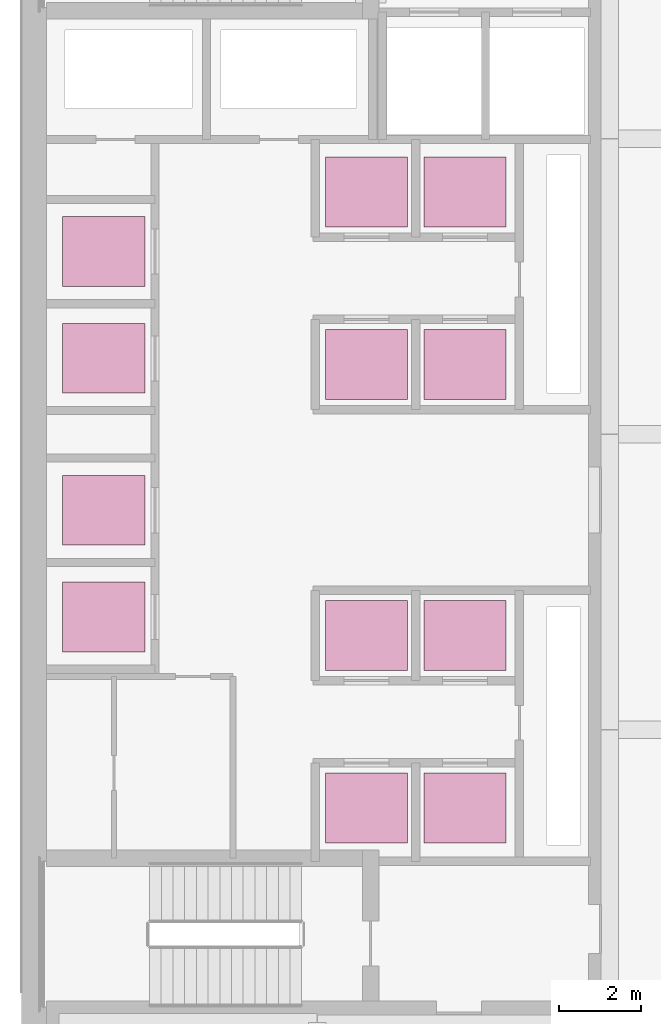
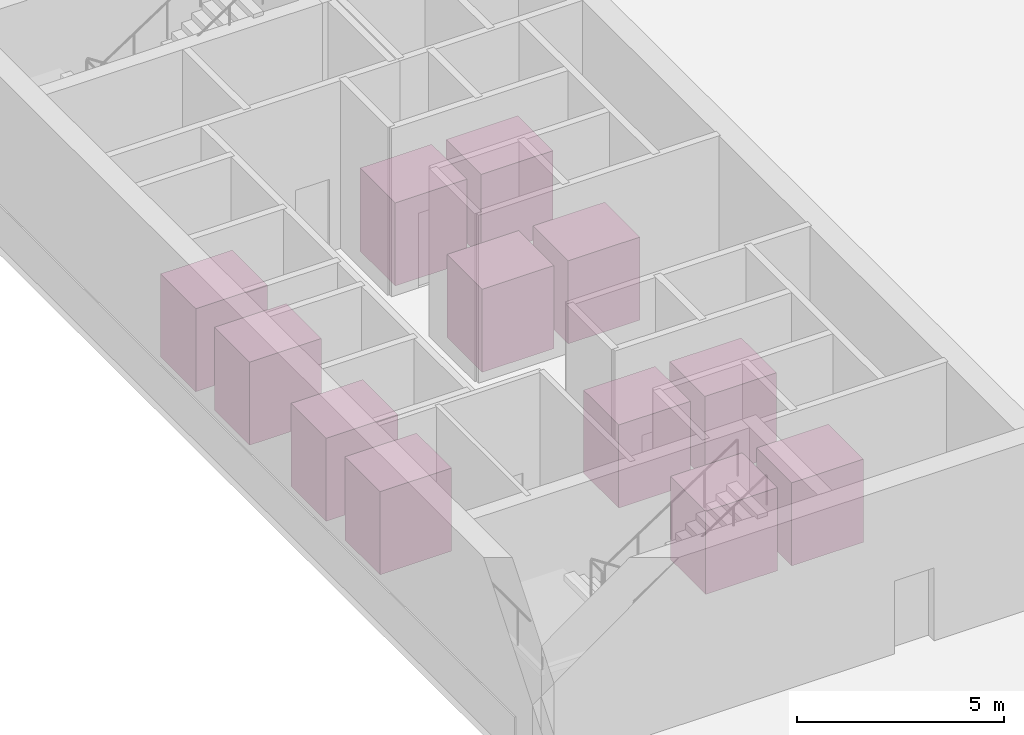
# One storey, part 17 of 17: 12 transport elements.
"""IFC4 building model written with IfcOpenShell, lengths in metres."""

from ifc_helpers import new_model, si_unit, direction, origin, place, context, subcontext, project, spatial, polyline, outline, extrude, material, type_object, element, save


model = new_model("IFC4")

# Units and contexts
model_context = context("Model", 3, precision=1e-05, world=origin(), true_north=direction((0.0, 1.0)))
body_context = subcontext(model_context, "Body", "Model", "MODEL_VIEW")
ifc_project = project(units=[si_unit("LENGTHUNIT", "METRE"), si_unit("AREAUNIT", "SQUARE_METRE"), si_unit("VOLUMEUNIT", "CUBIC_METRE"), si_unit("PLANEANGLEUNIT", "RADIAN"), si_unit("MASSUNIT", "GRAM", prefix="KILO")], contexts=[model_context])

# Site, building, storey
site_placement = place(None, origin())
site = spatial("IfcSite", under=ifc_project, at=site_placement, CompositionType="ELEMENT")
building_placement = place(site_placement, origin())
building = spatial("IfcBuilding", under=site, at=building_placement, Name="Cobrela Telecom Tower", CompositionType="ELEMENT")
storey_placement = place(building_placement, origin())
storey = spatial("IfcBuildingStorey", under=building, at=storey_placement, Name="L00", CompositionType="ELEMENT", Elevation=0.0)

# Transport elements
ifc_material = material(Name="Steel ASTM A36", Category="steel")
transport_element_type = type_object("IfcTransportElementType", Name="LIFT-PAS-2000", PredefinedType="ELEVATOR", material=ifc_material)
transport_element_1_placement = place(storey_placement, origin())
element("IfcTransportElement", 1, at=transport_element_1_placement, inside=storey, type_object=transport_element_type, Name="Passenger Lift Car PL-1", PredefinedType="ELEVATOR", context=body_context, shape_type="SweptSolid", body=[
    extrude(outline(polyline([(7.39990234375, 22.449951171875), (9.39990234375, 22.449951171875), (9.39990234375, 24.14990234375), (7.39990234375, 24.14990234375), (7.39990234375, 22.449951171875)])), origin(), (0.0, 0.0, 1.0), 2.449951171875),
])
transport_element_2_placement = place(storey_placement, origin())
element("IfcTransportElement", 2, at=transport_element_2_placement, inside=storey, type_object=transport_element_type, Name="Passenger Lift Car PL-2", PredefinedType="ELEVATOR", context=body_context, shape_type="SweptSolid", body=[
    extrude(outline(polyline([(9.800048828125, 22.449951171875), (11.800048828125, 22.449951171875), (11.800048828125, 24.14990234375), (9.800048828125, 24.14990234375), (9.800048828125, 22.449951171875)])), origin(), (0.0, 0.0, 1.0), 2.449951171875),
])
transport_element_3_placement = place(storey_placement, origin())
element("IfcTransportElement", 3, at=transport_element_3_placement, inside=storey, type_object=transport_element_type, Name="Passenger Lift Car PL-3", PredefinedType="ELEVATOR", context=body_context, shape_type="SweptSolid", body=[
    extrude(outline(polyline([(7.39990234375, 26.64990234375), (9.39990234375, 26.64990234375), (9.39990234375, 28.35009765625), (7.39990234375, 28.35009765625), (7.39990234375, 26.64990234375)])), origin(), (0.0, 0.0, 1.0), 2.449951171875),
])
transport_element_4_placement = place(storey_placement, origin())
element("IfcTransportElement", 4, at=transport_element_4_placement, inside=storey, type_object=transport_element_type, Name="Passenger Lift Car PL-4", PredefinedType="ELEVATOR", context=body_context, shape_type="SweptSolid", body=[
    extrude(outline(polyline([(9.800048828125, 26.64990234375), (11.800048828125, 26.64990234375), (11.800048828125, 28.35009765625), (9.800048828125, 28.35009765625), (9.800048828125, 26.64990234375)])), origin(), (0.0, 0.0, 1.0), 2.449951171875),
])
transport_element_5_placement = place(storey_placement, origin())
element("IfcTransportElement", 5, at=transport_element_5_placement, inside=storey, type_object=transport_element_type, Name="Passenger Lift Car PL-5", PredefinedType="ELEVATOR", context=body_context, shape_type="SweptSolid", body=[
    extrude(outline(polyline([(7.39990234375, 15.85009765625), (9.39990234375, 15.85009765625), (9.39990234375, 17.550048828125), (7.39990234375, 17.550048828125), (7.39990234375, 15.85009765625)])), origin(), (0.0, 0.0, 1.0), 2.449951171875),
])
transport_element_6_placement = place(storey_placement, origin())
element("IfcTransportElement", 6, at=transport_element_6_placement, inside=storey, type_object=transport_element_type, Name="Passenger Lift Car PL-6", PredefinedType="ELEVATOR", context=body_context, shape_type="SweptSolid", body=[
    extrude(outline(polyline([(9.800048828125, 15.85009765625), (11.800048828125, 15.85009765625), (11.800048828125, 17.550048828125), (9.800048828125, 17.550048828125), (9.800048828125, 15.85009765625)])), origin(), (0.0, 0.0, 1.0), 2.449951171875),
])
transport_element_7_placement = place(storey_placement, origin())
element("IfcTransportElement", 7, at=transport_element_7_placement, inside=storey, type_object=transport_element_type, Name="Passenger Lift Car PL-7", PredefinedType="ELEVATOR", context=body_context, shape_type="SweptSolid", body=[
    extrude(outline(polyline([(7.39990234375, 11.64990234375), (9.39990234375, 11.64990234375), (9.39990234375, 13.35009765625), (7.39990234375, 13.35009765625), (7.39990234375, 11.64990234375)])), origin(), (0.0, 0.0, 1.0), 2.449951171875),
])
transport_element_8_placement = place(storey_placement, origin())
element("IfcTransportElement", 8, at=transport_element_8_placement, inside=storey, type_object=transport_element_type, Name="Passenger Lift Car PL-8", PredefinedType="ELEVATOR", context=body_context, shape_type="SweptSolid", body=[
    extrude(outline(polyline([(9.800048828125, 11.64990234375), (11.800048828125, 11.64990234375), (11.800048828125, 13.35009765625), (9.800048828125, 13.35009765625), (9.800048828125, 11.64990234375)])), origin(), (0.0, 0.0, 1.0), 2.449951171875),
])
transport_element_9_placement = place(storey_placement, origin())
element("IfcTransportElement", 9, at=transport_element_9_placement, inside=storey, type_object=transport_element_type, Name="Passenger Lift Car PL-9", PredefinedType="ELEVATOR", context=body_context, shape_type="SweptSolid", body=[
    extrude(outline(polyline([(1.0, 16.300048828125), (3.0, 16.300048828125), (3.0, 18.0), (1.0, 18.0), (1.0, 16.300048828125)])), origin(), (0.0, 0.0, 1.0), 2.449951171875),
])
transport_element_10_placement = place(storey_placement, origin())
element("IfcTransportElement", 10, at=transport_element_10_placement, inside=storey, type_object=transport_element_type, Name="Passenger Lift Car PL-10", PredefinedType="ELEVATOR", context=body_context, shape_type="SweptSolid", body=[
    extrude(outline(polyline([(1.0, 18.89990234375), (3.0, 18.89990234375), (3.0, 20.60009765625), (1.0, 20.60009765625), (1.0, 18.89990234375)])), origin(), (0.0, 0.0, 1.0), 2.449951171875),
])
transport_element_11_placement = place(storey_placement, origin())
element("IfcTransportElement", 11, at=transport_element_11_placement, inside=storey, type_object=transport_element_type, Name="Passenger Lift Car PL-11", PredefinedType="ELEVATOR", context=body_context, shape_type="SweptSolid", body=[
    extrude(outline(polyline([(1.0, 22.60009765625), (3.0, 22.60009765625), (3.0, 24.300048828125), (1.0, 24.300048828125), (1.0, 22.60009765625)])), origin(), (0.0, 0.0, 1.0), 2.449951171875),
])
transport_element_12_placement = place(storey_placement, origin())
element("IfcTransportElement", 12, at=transport_element_12_placement, inside=storey, type_object=transport_element_type, Name="Passenger Lift Car PL-12", PredefinedType="ELEVATOR", context=body_context, shape_type="SweptSolid", body=[
    extrude(outline(polyline([(1.0, 25.199951171875), (3.0, 25.199951171875), (3.0, 26.89990234375), (1.0, 26.89990234375), (1.0, 25.199951171875)])), origin(), (0.0, 0.0, 1.0), 2.449951171875),
])

save(model, "model.ifc")
